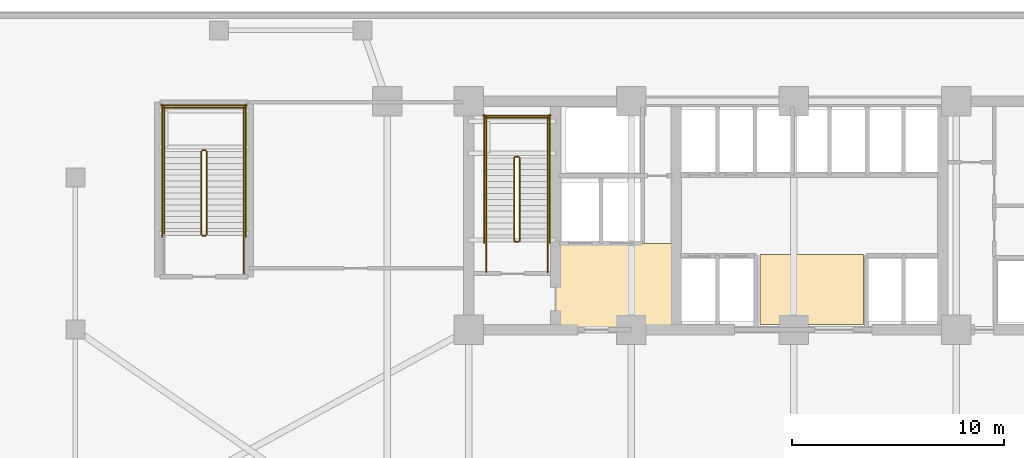
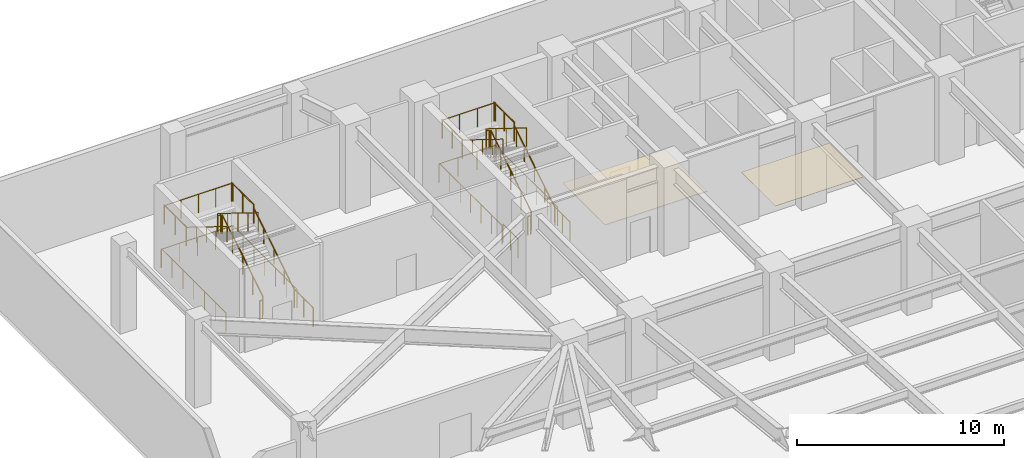
# One storey, part 16 of 19: 27 railings, 2 coverings.
"""IFC4 building model written with IfcOpenShell, lengths in metres."""

from ifc_helpers import new_model, si_unit, direction, frame, origin, origin_2d, place, context, subcontext, project, spatial, polyline, circle, outline, extrude, material, layer, layer_set, type_object, element, save


model = new_model("IFC4")

# Units and contexts
model_context = context("Model", 3, precision=1e-05, world=origin(), true_north=direction((0.0, 1.0)))
body_context = subcontext(model_context, "Body", "Model", "MODEL_VIEW")
ifc_project = project(units=[si_unit("LENGTHUNIT", "METRE"), si_unit("AREAUNIT", "SQUARE_METRE"), si_unit("VOLUMEUNIT", "CUBIC_METRE"), si_unit("PLANEANGLEUNIT", "RADIAN"), si_unit("MASSUNIT", "GRAM", prefix="KILO")], contexts=[model_context])

# Site, building, storey
site_placement = place(None, origin())
site = spatial("IfcSite", under=ifc_project, at=site_placement, CompositionType="ELEMENT")
building_placement = place(site_placement, origin())
building = spatial("IfcBuilding", under=site, at=building_placement, Name="Yelkora Congress Tower", CompositionType="ELEMENT")
storey_placement = place(building_placement, frame((0.0, 0.0, 5.199951171875)))
storey = spatial("IfcBuildingStorey", under=building, at=storey_placement, Name="L01", CompositionType="ELEMENT", Elevation=5.199951171875)

# Coverings
ifc_material_1 = material(Name="Perforated mineral-fibre acoustic ceiling", Category="gypsum")
ifc_layer_1 = layer(ifc_material_1, 0.0400390625)
ifc_layer_set_1 = layer_set([ifc_layer_1], Name="Perforated mineral-fibre acoustic ceiling")
covering_type_1 = type_object("IfcCoveringType", Name="COV-CEIL-ACOUSTIC-40", PredefinedType="CEILING", material=ifc_layer_set_1)
covering_1_placement = place(storey_placement, frame((0.0, 0.0, 2.400146484375)))
element("IfcCovering", 1, at=covering_1_placement, inside=storey, type_object=covering_type_1, Name="L01 Firefighting Lobby Acoustic Ceiling", PredefinedType="CEILING", context=body_context, shape_type="SweptSolid", body=[
    extrude(outline(polyline([(27.14990234375, 35.39990234375), (32.85009765625, 35.39990234375), (32.85009765625, 39.47998046875), (27.14990234375, 39.47998046875), (27.14990234375, 35.39990234375)])), origin(), (0.0, 0.0, 1.0), 0.039794921875),
])
ifc_material_2 = material(Name="Polished Anatolian grey granite tile", Category="masonry")
ifc_layer_2 = layer(ifc_material_2, 0.02001953125)
ifc_layer_set_2 = layer_set([ifc_layer_2], Name="Polished Anatolian grey granite tile")
covering_type_2 = type_object("IfcCoveringType", Name="COV-FLOOR-GRANITE-20", PredefinedType="FLOORING", material=ifc_layer_set_2)
covering_2_placement = place(storey_placement, origin())
element("IfcCovering", 2, at=covering_2_placement, inside=storey, type_object=covering_type_2, Name="L01 Lift Lobby Granite Flooring", PredefinedType="FLOORING", context=body_context, shape_type="SweptSolid", body=[
    extrude(outline(polyline([(36.800048828125, 35.64990234375), (41.699951171875, 35.64990234375), (41.699951171875, 38.949951171875), (36.800048828125, 38.949951171875), (36.800048828125, 35.64990234375)])), origin(), (0.0, 0.0, 1.0), 0.02001953125),
])

# Railings
ifc_material_3 = material(Name="Painted galvanised steel stair well guard with vertical infill", Category="steel")
ifc_layer_3 = layer(ifc_material_3, 0.06005859375)
ifc_layer_set_3 = layer_set([ifc_layer_3], Name="Painted galvanised steel stair well guard with vertical infill")
railing_type_1 = type_object("IfcRailingType", Name="RAIL-STAIR-GUARD-1120", PredefinedType="GUARDRAIL", material=ifc_layer_set_3)
railing_1_placement = place(storey_placement, frame((25.449951171875, 39.60009765625, 0.17333984375)))
element("IfcRailing", 3, at=railing_1_placement, inside=storey, type_object=railing_type_1, Name="ST-01 L01 Stair Well Guardrail 1", PredefinedType="GUARDRAIL", context=body_context, shape_type="SweptSolid", body=[
    extrude(circle(Radius=0.02392578125, at=origin_2d()), frame((0.0, 0.0, 1.09619140625), z_axis=(0.0, 0.850251603719, 0.526376491091), x_axis=(-1.0, 0.0, 0.0)), (0.0, 0.0, 1.0), 4.6103515625),
    extrude(circle(Radius=0.02099609375, at=origin_2d()), origin(), (0.0, 0.0, 1.0), 1.072021484375),
    extrude(circle(Radius=0.02099609375, at=origin_2d()), frame((0.0, 0.97998046875, 0.606689453125)), (0.0, 0.0, 1.0), 1.072021484375),
    extrude(circle(Radius=0.02099609375, at=origin_2d()), frame((0.0, 1.9599609375, 1.21337890625)), (0.0, 0.0, 1.0), 1.072021484375),
    extrude(circle(Radius=0.02099609375, at=origin_2d()), frame((0.0, 2.93994140625, 1.820068359375)), (0.0, 0.0, 1.0), 1.072021484375),
    extrude(circle(Radius=0.02099609375, at=origin_2d()), frame((0.0, 3.919921875, 2.4267578125)), (0.0, 0.0, 1.0), 1.072021484375),
])
railing_2_placement = place(storey_placement, frame((25.39990234375, 43.570068359375, 2.60009765625)))
element("IfcRailing", 4, at=railing_2_placement, inside=storey, type_object=railing_type_1, Name="ST-01 L01 Stair Well Guardrail 2", PredefinedType="GUARDRAIL", context=body_context, shape_type="SweptSolid", body=[
    extrude(circle(Radius=0.02392578125, at=origin_2d()), frame((0.0, 0.0, 1.09619140625), z_axis=(-1.0, 0.0, 0.0), x_axis=(0.0, -1.0, 0.0)), (0.0, 0.0, 1.0), 0.159912109375),
    extrude(circle(Radius=0.02099609375, at=origin_2d()), origin(), (0.0, 0.0, 1.0), 1.072021484375),
    extrude(circle(Radius=0.02099609375, at=origin_2d()), frame((-0.159912109375, 0.0, 0.0)), (0.0, 0.0, 1.0), 1.072021484375),
])
for number, where, name in (
    (5, (26.77001953125, 43.52001953125, 2.60009765625), "ST-01 L01 Stair Well Guardrail 3"),
    (6, (23.8701171875, 43.52001953125, 2.60009765625), "ST-01 L01 Stair Well Guardrail 4"),
):
    element("IfcRailing", number, at=place(storey_placement, frame(where)), inside=storey, type_object=railing_type_1, Name=name, PredefinedType="GUARDRAIL", context=body_context, shape_type="SweptSolid", body=[
        extrude(circle(Radius=0.02392578125, at=origin_2d()), frame((0.0, 0.0, 1.09619140625), z_axis=(0.0, 1.0, 0.0), x_axis=(-1.0, 0.0, 0.0)), (0.0, 0.0, 1.0), 1.949951171875),
        extrude(circle(Radius=0.02099609375, at=origin_2d()), origin(), (0.0, 0.0, 1.0), 1.072021484375),
        extrude(circle(Radius=0.02099609375, at=origin_2d()), frame((0.0, 0.97509765625, 0.0)), (0.0, 0.0, 1.0), 1.072021484375),
        extrude(circle(Radius=0.02099609375, at=origin_2d()), frame((0.0, 1.949951171875, 0.0)), (0.0, 0.0, 1.0), 1.072021484375),
    ])
railing_3_placement = place(storey_placement, frame((26.820068359375, 45.419921875, 2.60009765625)))
element("IfcRailing", 7, at=railing_3_placement, inside=storey, type_object=railing_type_1, Name="ST-01 L01 Stair Well Guardrail 5", PredefinedType="GUARDRAIL", context=body_context, shape_type="SweptSolid", body=[
    extrude(circle(Radius=0.02392578125, at=origin_2d()), frame((0.0, 0.0, 1.09619140625), z_axis=(-1.0, 0.0, 0.0), x_axis=(0.0, -1.0, 0.0)), (0.0, 0.0, 1.0), 3.0),
    extrude(circle(Radius=0.02099609375, at=origin_2d()), origin(), (0.0, 0.0, 1.0), 1.072021484375),
    extrude(circle(Radius=0.02099609375, at=origin_2d()), frame((-1.0, 0.0, 0.0)), (0.0, 0.0, 1.0), 1.072021484375),
    extrude(circle(Radius=0.02099609375, at=origin_2d()), frame((-2.0, 0.0, 0.0)), (0.0, 0.0, 1.0), 1.072021484375),
    extrude(circle(Radius=0.02099609375, at=origin_2d()), frame((-3.0, 0.0, 0.0)), (0.0, 0.0, 1.0), 1.072021484375),
])
railing_4_placement = place(storey_placement, frame((25.18994140625, 43.52001953125, 2.7734375)))
element("IfcRailing", 8, at=railing_4_placement, inside=storey, type_object=railing_type_1, Name="ST-01 L01 Stair Well Guardrail 6", PredefinedType="GUARDRAIL", context=body_context, shape_type="SweptSolid", body=[
    extrude(circle(Radius=0.02392578125, at=origin_2d()), frame((0.0, 0.0, 1.09619140625), z_axis=(0.0, -0.850275303828, 0.526338206574), x_axis=(1.0, 0.0, 0.0)), (0.0, 0.0, 1.0), 4.610107421875),
    extrude(circle(Radius=0.02099609375, at=origin_2d()), origin(), (0.0, 0.0, 1.0), 1.072021484375),
    extrude(circle(Radius=0.02099609375, at=origin_2d()), frame((0.0, -0.97998046875, 0.606689453125)), (0.0, 0.0, 1.0), 1.072021484375),
    extrude(circle(Radius=0.02099609375, at=origin_2d()), frame((0.0, -1.9599609375, 1.21337890625)), (0.0, 0.0, 1.0), 1.072021484375),
    extrude(circle(Radius=0.02099609375, at=origin_2d()), frame((0.0, -2.93994140625, 1.81982421875)), (0.0, 0.0, 1.0), 1.072021484375),
    extrude(circle(Radius=0.02099609375, at=origin_2d()), frame((0.0, -3.919921875, 2.426513671875)), (0.0, 0.0, 1.0), 1.072021484375),
])
railing_5_placement = place(storey_placement, frame((25.39990234375, 39.550048828125, 0.0)))
element("IfcRailing", 9, at=railing_5_placement, inside=storey, type_object=railing_type_1, Name="ST-01 L01 Stair Well Guardrail 7", PredefinedType="GUARDRAIL", context=body_context, shape_type="SweptSolid", body=[
    extrude(circle(Radius=0.02392578125, at=origin_2d()), frame((0.0, 0.0, 1.09619140625), z_axis=(-1.0, 0.0, 0.0), x_axis=(0.0, -1.0, 0.0)), (0.0, 0.0, 1.0), 0.159912109375),
    extrude(circle(Radius=0.02099609375, at=origin_2d()), origin(), (0.0, 0.0, 1.0), 1.072021484375),
    extrude(circle(Radius=0.02099609375, at=origin_2d()), frame((-0.159912109375, 0.0, 0.0)), (0.0, 0.0, 1.0), 1.072021484375),
])
for number, where, name in (
    (10, (26.77001953125, 38.1201171875, 0.0), "ST-01 L01 Stair Well Guardrail 8"),
    (11, (23.8701171875, 38.1201171875, 0.0), "ST-01 L01 Stair Well Guardrail 9"),
):
    element("IfcRailing", number, at=place(storey_placement, frame(where)), inside=storey, type_object=railing_type_1, Name=name, PredefinedType="GUARDRAIL", context=body_context, shape_type="SweptSolid", body=[
        extrude(circle(Radius=0.02392578125, at=origin_2d()), frame((0.0, 0.0, 1.09619140625), z_axis=(0.0, 1.0, 0.0), x_axis=(-1.0, 0.0, 0.0)), (0.0, 0.0, 1.0), 1.47998046875),
        extrude(circle(Radius=0.02099609375, at=origin_2d()), origin(), (0.0, 0.0, 1.0), 1.072021484375),
        extrude(circle(Radius=0.02099609375, at=origin_2d()), frame((0.0, 0.739990234375, 0.0)), (0.0, 0.0, 1.0), 1.072021484375),
        extrude(circle(Radius=0.02099609375, at=origin_2d()), frame((0.0, 1.47998046875, 0.0)), (0.0, 0.0, 1.0), 1.072021484375),
    ])
for number, where, name in (
    (12, (26.8701171875, 39.5, 0.0), "ST-01 L01 Stair Well Guardrail 10"),
    (13, (23.77001953125, 39.5, 0.0), "ST-01 L01 Stair Well Guardrail 11"),
):
    element("IfcRailing", number, at=place(storey_placement, frame(where)), inside=storey, type_object=railing_type_1, Name=name, PredefinedType="GUARDRAIL", context=body_context, shape_type="SweptSolid", body=[
        extrude(circle(Radius=0.02392578125, at=origin_2d()), frame((0.0, 0.0, 1.09619140625), z_axis=(0.0, 1.0, 0.0), x_axis=(-1.0, 0.0, 0.0)), (0.0, 0.0, 1.0), 6.070068359375),
        extrude(circle(Radius=0.02099609375, at=origin_2d()), origin(), (0.0, 0.0, 1.0), 1.072021484375),
        extrude(circle(Radius=0.02099609375, at=origin_2d()), frame((0.0, 1.01171875, 0.0)), (0.0, 0.0, 1.0), 1.072021484375),
        extrude(circle(Radius=0.02099609375, at=origin_2d()), frame((0.0, 2.0234375, 0.0)), (0.0, 0.0, 1.0), 1.072021484375),
        extrude(circle(Radius=0.02099609375, at=origin_2d()), frame((0.0, 3.03515625, 0.0)), (0.0, 0.0, 1.0), 1.072021484375),
        extrude(circle(Radius=0.02099609375, at=origin_2d()), frame((0.0, 4.046630859375, 0.0)), (0.0, 0.0, 1.0), 1.072021484375),
        extrude(circle(Radius=0.02099609375, at=origin_2d()), frame((0.0, 5.058349609375, 0.0)), (0.0, 0.0, 1.0), 1.072021484375),
        extrude(circle(Radius=0.02099609375, at=origin_2d()), frame((0.0, 6.070068359375, 0.0)), (0.0, 0.0, 1.0), 1.072021484375),
    ])
railing_6_placement = place(storey_placement, frame((26.919921875, 45.52001953125, 0.0)))
element("IfcRailing", 14, at=railing_6_placement, inside=storey, type_object=railing_type_1, Name="ST-01 L01 Stair Well Guardrail 12", PredefinedType="GUARDRAIL", context=body_context, shape_type="SweptSolid", body=[
    extrude(circle(Radius=0.02392578125, at=origin_2d()), frame((0.0, 0.0, 1.09619140625), z_axis=(-1.0, 0.0, 0.0), x_axis=(0.0, -1.0, 0.0)), (0.0, 0.0, 1.0), 3.199951171875),
    extrude(circle(Radius=0.02099609375, at=origin_2d()), origin(), (0.0, 0.0, 1.0), 1.072021484375),
    extrude(circle(Radius=0.02099609375, at=origin_2d()), frame((-1.066650390625, 0.0, 0.0)), (0.0, 0.0, 1.0), 1.072021484375),
    extrude(circle(Radius=0.02099609375, at=origin_2d()), frame((-2.13330078125, 0.0, 0.0)), (0.0, 0.0, 1.0), 1.072021484375),
    extrude(circle(Radius=0.02099609375, at=origin_2d()), frame((-3.199951171875, 0.0, 0.0)), (0.0, 0.0, 1.0), 1.072021484375),
])
railing_7_placement = place(storey_placement, frame((10.659912109375, 39.89990234375, 0.17333984375)))
element("IfcRailing", 15, at=railing_7_placement, inside=storey, type_object=railing_type_1, Name="ST-P1 L01 Stair Well Guardrail 1", PredefinedType="GUARDRAIL", context=body_context, shape_type="SweptSolid", body=[
    extrude(circle(Radius=0.02392578125, at=origin_2d()), frame((0.0, 0.0, 1.09619140625), z_axis=(0.0, 0.850266275192, 0.526352791643), x_axis=(-1.0, 0.0, 0.0)), (0.0, 0.0, 1.0), 4.610595703125),
    extrude(circle(Radius=0.02099609375, at=origin_2d()), origin(), (0.0, 0.0, 1.0), 1.072021484375),
    extrude(circle(Radius=0.02099609375, at=origin_2d()), frame((0.0, 0.97998046875, 0.606689453125)), (0.0, 0.0, 1.0), 1.072021484375),
    extrude(circle(Radius=0.02099609375, at=origin_2d()), frame((0.0, 1.9599609375, 1.21337890625)), (0.0, 0.0, 1.0), 1.072021484375),
    extrude(circle(Radius=0.02099609375, at=origin_2d()), frame((0.0, 2.940185546875, 1.820068359375)), (0.0, 0.0, 1.0), 1.072021484375),
    extrude(circle(Radius=0.02099609375, at=origin_2d()), frame((0.0, 3.920166015625, 2.4267578125)), (0.0, 0.0, 1.0), 1.072021484375),
])
railing_8_placement = place(storey_placement, frame((10.610107421875, 43.8701171875, 2.60009765625)))
element("IfcRailing", 16, at=railing_8_placement, inside=storey, type_object=railing_type_1, Name="ST-P1 L01 Stair Well Guardrail 2", PredefinedType="GUARDRAIL", context=body_context, shape_type="SweptSolid", body=[
    extrude(circle(Radius=0.02392578125, at=origin_2d()), frame((0.0, 0.0, 1.09619140625), z_axis=(-1.0, 0.0, 0.0), x_axis=(0.0, -1.0, 0.0)), (0.0, 0.0, 1.0), 0.16015625),
    extrude(circle(Radius=0.02099609375, at=origin_2d()), origin(), (0.0, 0.0, 1.0), 1.072021484375),
    extrude(circle(Radius=0.02099609375, at=origin_2d()), frame((-0.16015625, 0.0, 0.0)), (0.0, 0.0, 1.0), 1.072021484375),
])
for number, where, name in (
    (17, (12.409912109375, 43.820068359375, 2.60009765625), "ST-P1 L01 Stair Well Guardrail 3"),
    (18, (8.64990234375, 43.820068359375, 2.60009765625), "ST-P1 L01 Stair Well Guardrail 4"),
):
    element("IfcRailing", number, at=place(storey_placement, frame(where)), inside=storey, type_object=railing_type_1, Name=name, PredefinedType="GUARDRAIL", context=body_context, shape_type="SweptSolid", body=[
        extrude(circle(Radius=0.02392578125, at=origin_2d()), frame((0.0, 0.0, 1.09619140625), z_axis=(0.0, 1.0, 0.0), x_axis=(-1.0, 0.0, 0.0)), (0.0, 0.0, 1.0), 2.1298828125),
        extrude(circle(Radius=0.02099609375, at=origin_2d()), origin(), (0.0, 0.0, 1.0), 1.072021484375),
        extrude(circle(Radius=0.02099609375, at=origin_2d()), frame((0.0, 1.06494140625, 0.0)), (0.0, 0.0, 1.0), 1.072021484375),
        extrude(circle(Radius=0.02099609375, at=origin_2d()), frame((0.0, 2.1298828125, 0.0)), (0.0, 0.0, 1.0), 1.072021484375),
    ])
railing_9_placement = place(storey_placement, frame((12.4599609375, 45.89990234375, 2.60009765625)))
element("IfcRailing", 19, at=railing_9_placement, inside=storey, type_object=railing_type_1, Name="ST-P1 L01 Stair Well Guardrail 5", PredefinedType="GUARDRAIL", context=body_context, shape_type="SweptSolid", body=[
    extrude(circle(Radius=0.02392578125, at=origin_2d()), frame((0.0, 0.0, 1.09619140625), z_axis=(-1.0, 0.0, 0.0), x_axis=(0.0, -1.0, 0.0)), (0.0, 0.0, 1.0), 3.85986328125),
    extrude(circle(Radius=0.02099609375, at=origin_2d()), origin(), (0.0, 0.0, 1.0), 1.072021484375),
    extrude(circle(Radius=0.02099609375, at=origin_2d()), frame((-0.96484375, 0.0, 0.0)), (0.0, 0.0, 1.0), 1.072021484375),
    extrude(circle(Radius=0.02099609375, at=origin_2d()), frame((-1.929931640625, 0.0, 0.0)), (0.0, 0.0, 1.0), 1.072021484375),
    extrude(circle(Radius=0.02099609375, at=origin_2d()), frame((-2.89501953125, 0.0, 0.0)), (0.0, 0.0, 1.0), 1.072021484375),
    extrude(circle(Radius=0.02099609375, at=origin_2d()), frame((-3.85986328125, 0.0, 0.0)), (0.0, 0.0, 1.0), 1.072021484375),
])
railing_10_placement = place(storey_placement, frame((10.39990234375, 43.820068359375, 2.7734375)))
element("IfcRailing", 20, at=railing_10_placement, inside=storey, type_object=railing_type_1, Name="ST-P1 L01 Stair Well Guardrail 6", PredefinedType="GUARDRAIL", context=body_context, shape_type="SweptSolid", body=[
    extrude(circle(Radius=0.02392578125, at=origin_2d()), frame((0.0, 0.0, 1.09619140625), z_axis=(0.0, -0.850289973577, 0.526314507528), x_axis=(1.0, 0.0, 0.0)), (0.0, 0.0, 1.0), 4.6103515625),
    extrude(circle(Radius=0.02099609375, at=origin_2d()), origin(), (0.0, 0.0, 1.0), 1.072021484375),
    extrude(circle(Radius=0.02099609375, at=origin_2d()), frame((0.0, -0.97998046875, 0.606689453125)), (0.0, 0.0, 1.0), 1.072021484375),
    extrude(circle(Radius=0.02099609375, at=origin_2d()), frame((0.0, -1.9599609375, 1.21337890625)), (0.0, 0.0, 1.0), 1.072021484375),
    extrude(circle(Radius=0.02099609375, at=origin_2d()), frame((0.0, -2.940185546875, 1.81982421875)), (0.0, 0.0, 1.0), 1.072021484375),
    extrude(circle(Radius=0.02099609375, at=origin_2d()), frame((0.0, -3.920166015625, 2.426513671875)), (0.0, 0.0, 1.0), 1.072021484375),
])
railing_11_placement = place(storey_placement, frame((10.610107421875, 39.85009765625, 0.0)))
element("IfcRailing", 21, at=railing_11_placement, inside=storey, type_object=railing_type_1, Name="ST-P1 L01 Stair Well Guardrail 7", PredefinedType="GUARDRAIL", context=body_context, shape_type="SweptSolid", body=[
    extrude(circle(Radius=0.02392578125, at=origin_2d()), frame((0.0, 0.0, 1.09619140625), z_axis=(-1.0, 0.0, 0.0), x_axis=(0.0, -1.0, 0.0)), (0.0, 0.0, 1.0), 0.16015625),
    extrude(circle(Radius=0.02099609375, at=origin_2d()), origin(), (0.0, 0.0, 1.0), 1.072021484375),
    extrude(circle(Radius=0.02099609375, at=origin_2d()), frame((-0.16015625, 0.0, 0.0)), (0.0, 0.0, 1.0), 1.072021484375),
])
railing_12_placement = place(storey_placement, frame((12.409912109375, 38.050048828125, 0.0)))
element("IfcRailing", 22, at=railing_12_placement, inside=storey, type_object=railing_type_1, Name="ST-P1 L01 Stair Well Guardrail 8", PredefinedType="GUARDRAIL", context=body_context, shape_type="SweptSolid", body=[
    extrude(circle(Radius=0.02392578125, at=origin_2d()), frame((0.0, 0.0, 1.09619140625), z_axis=(0.0, 1.0, 0.0), x_axis=(-1.0, 0.0, 0.0)), (0.0, 0.0, 1.0), 1.849853515625),
    extrude(circle(Radius=0.02099609375, at=origin_2d()), origin(), (0.0, 0.0, 1.0), 1.072021484375),
    extrude(circle(Radius=0.02099609375, at=origin_2d()), frame((0.0, 0.9248046875, 0.0)), (0.0, 0.0, 1.0), 1.072021484375),
    extrude(circle(Radius=0.02099609375, at=origin_2d()), frame((0.0, 1.849853515625, 0.0)), (0.0, 0.0, 1.0), 1.072021484375),
])
for number, where, name in (
    (23, (12.510009765625, 39.800048828125, 0.0), "ST-P1 L01 Stair Well Guardrail 10"),
    (24, (8.550048828125, 39.800048828125, 0.0), "ST-P1 L01 Stair Well Guardrail 11"),
):
    element("IfcRailing", number, at=place(storey_placement, frame(where)), inside=storey, type_object=railing_type_1, Name=name, PredefinedType="GUARDRAIL", context=body_context, shape_type="SweptSolid", body=[
        extrude(circle(Radius=0.02392578125, at=origin_2d()), frame((0.0, 0.0, 1.09619140625), z_axis=(0.0, 1.0, 0.0), x_axis=(-1.0, 0.0, 0.0)), (0.0, 0.0, 1.0), 6.25),
        extrude(circle(Radius=0.02099609375, at=origin_2d()), origin(), (0.0, 0.0, 1.0), 1.072021484375),
        extrude(circle(Radius=0.02099609375, at=origin_2d()), frame((0.0, 1.041748046875, 0.0)), (0.0, 0.0, 1.0), 1.072021484375),
        extrude(circle(Radius=0.02099609375, at=origin_2d()), frame((0.0, 2.083251953125, 0.0)), (0.0, 0.0, 1.0), 1.072021484375),
        extrude(circle(Radius=0.02099609375, at=origin_2d()), frame((0.0, 3.125, 0.0)), (0.0, 0.0, 1.0), 1.072021484375),
        extrude(circle(Radius=0.02099609375, at=origin_2d()), frame((0.0, 4.166748046875, 0.0)), (0.0, 0.0, 1.0), 1.072021484375),
        extrude(circle(Radius=0.02099609375, at=origin_2d()), frame((0.0, 5.208251953125, 0.0)), (0.0, 0.0, 1.0), 1.072021484375),
        extrude(circle(Radius=0.02099609375, at=origin_2d()), frame((0.0, 6.25, 0.0)), (0.0, 0.0, 1.0), 1.072021484375),
    ])
railing_13_placement = place(storey_placement, frame((12.56005859375, 46.0, 0.0)))
element("IfcRailing", 25, at=railing_13_placement, inside=storey, type_object=railing_type_1, Name="ST-P1 L01 Stair Well Guardrail 12", PredefinedType="GUARDRAIL", context=body_context, shape_type="SweptSolid", body=[
    extrude(circle(Radius=0.02392578125, at=origin_2d()), frame((0.0, 0.0, 1.09619140625), z_axis=(-1.0, 0.0, 0.0), x_axis=(0.0, -1.0, 0.0)), (0.0, 0.0, 1.0), 4.06005859375),
    extrude(circle(Radius=0.02099609375, at=origin_2d()), origin(), (0.0, 0.0, 1.0), 1.072021484375),
    extrude(circle(Radius=0.02099609375, at=origin_2d()), frame((-1.01513671875, 0.0, 0.0)), (0.0, 0.0, 1.0), 1.072021484375),
    extrude(circle(Radius=0.02099609375, at=origin_2d()), frame((-2.030029296875, 0.0, 0.0)), (0.0, 0.0, 1.0), 1.072021484375),
    extrude(circle(Radius=0.02099609375, at=origin_2d()), frame((-3.044921875, 0.0, 0.0)), (0.0, 0.0, 1.0), 1.072021484375),
    extrude(circle(Radius=0.02099609375, at=origin_2d()), frame((-4.06005859375, 0.0, 0.0)), (0.0, 0.0, 1.0), 1.072021484375),
])
ifc_material_4 = material(Name="Brushed stainless steel tubular handrail", Category="steel")
ifc_layer_4 = layer(ifc_material_4, 0.050048828125)
ifc_layer_set_4 = layer_set([ifc_layer_4], Name="Brushed stainless steel tubular handrail")
railing_type_2 = type_object("IfcRailingType", Name="RAIL-STAIR-HAND-920", PredefinedType="HANDRAIL", material=ifc_layer_set_4)
railing_14_placement = place(storey_placement, frame((26.77001953125, 39.60009765625, 0.17333984375)))
element("IfcRailing", 26, at=railing_14_placement, inside=storey, type_object=railing_type_2, Name="ST-01 L01 Pitch Handrail 1", PredefinedType="HANDRAIL", context=body_context, shape_type="SweptSolid", body=[
    extrude(circle(Radius=0.02392578125, at=origin_2d()), frame((0.0, 0.0, 0.89599609375), z_axis=(0.0, 0.850251603719, 0.526376491091), x_axis=(-1.0, 0.0, 0.0)), (0.0, 0.0, 1.0), 4.6103515625),
    extrude(circle(Radius=0.02099609375, at=origin_2d()), origin(), (0.0, 0.0, 1.0), 0.871826171875),
    extrude(circle(Radius=0.02099609375, at=origin_2d()), frame((0.0, 0.97998046875, 0.606689453125)), (0.0, 0.0, 1.0), 0.871826171875),
    extrude(circle(Radius=0.02099609375, at=origin_2d()), frame((0.0, 1.9599609375, 1.21337890625)), (0.0, 0.0, 1.0), 0.871826171875),
    extrude(circle(Radius=0.02099609375, at=origin_2d()), frame((0.0, 2.93994140625, 1.820068359375)), (0.0, 0.0, 1.0), 0.871826171875),
    extrude(circle(Radius=0.02099609375, at=origin_2d()), frame((0.0, 3.919921875, 2.4267578125)), (0.0, 0.0, 1.0), 0.871826171875),
])
railing_15_placement = place(storey_placement, frame((23.8701171875, 43.52001953125, 2.7734375)))
element("IfcRailing", 27, at=railing_15_placement, inside=storey, type_object=railing_type_2, Name="ST-01 L01 Pitch Handrail 2", PredefinedType="HANDRAIL", context=body_context, shape_type="SweptSolid", body=[
    extrude(circle(Radius=0.02392578125, at=origin_2d()), frame((0.0, 0.0, 0.89599609375), z_axis=(0.0, -0.850275303828, 0.526338206574), x_axis=(1.0, 0.0, 0.0)), (0.0, 0.0, 1.0), 4.610107421875),
    extrude(circle(Radius=0.02099609375, at=origin_2d()), origin(), (0.0, 0.0, 1.0), 0.871826171875),
    extrude(circle(Radius=0.02099609375, at=origin_2d()), frame((0.0, -0.97998046875, 0.606689453125)), (0.0, 0.0, 1.0), 0.871826171875),
    extrude(circle(Radius=0.02099609375, at=origin_2d()), frame((0.0, -1.9599609375, 1.21337890625)), (0.0, 0.0, 1.0), 0.871826171875),
    extrude(circle(Radius=0.02099609375, at=origin_2d()), frame((0.0, -2.93994140625, 1.81982421875)), (0.0, 0.0, 1.0), 0.871826171875),
    extrude(circle(Radius=0.02099609375, at=origin_2d()), frame((0.0, -3.919921875, 2.426513671875)), (0.0, 0.0, 1.0), 0.871826171875),
])
railing_16_placement = place(storey_placement, frame((12.409912109375, 39.89990234375, 0.17333984375)))
element("IfcRailing", 28, at=railing_16_placement, inside=storey, type_object=railing_type_2, Name="ST-P1 L01 Pitch Handrail 1", PredefinedType="HANDRAIL", context=body_context, shape_type="SweptSolid", body=[
    extrude(circle(Radius=0.02392578125, at=origin_2d()), frame((0.0, 0.0, 0.89599609375), z_axis=(0.0, 0.850266275192, 0.526352791643), x_axis=(-1.0, 0.0, 0.0)), (0.0, 0.0, 1.0), 4.610595703125),
    extrude(circle(Radius=0.02099609375, at=origin_2d()), origin(), (0.0, 0.0, 1.0), 0.871826171875),
    extrude(circle(Radius=0.02099609375, at=origin_2d()), frame((0.0, 0.97998046875, 0.606689453125)), (0.0, 0.0, 1.0), 0.871826171875),
    extrude(circle(Radius=0.02099609375, at=origin_2d()), frame((0.0, 1.9599609375, 1.21337890625)), (0.0, 0.0, 1.0), 0.871826171875),
    extrude(circle(Radius=0.02099609375, at=origin_2d()), frame((0.0, 2.940185546875, 1.820068359375)), (0.0, 0.0, 1.0), 0.871826171875),
    extrude(circle(Radius=0.02099609375, at=origin_2d()), frame((0.0, 3.920166015625, 2.4267578125)), (0.0, 0.0, 1.0), 0.871826171875),
])
railing_17_placement = place(storey_placement, frame((8.64990234375, 43.820068359375, 2.7734375)))
element("IfcRailing", 29, at=railing_17_placement, inside=storey, type_object=railing_type_2, Name="ST-P1 L01 Pitch Handrail 2", PredefinedType="HANDRAIL", context=body_context, shape_type="SweptSolid", body=[
    extrude(circle(Radius=0.02392578125, at=origin_2d()), frame((0.0, 0.0, 0.89599609375), z_axis=(0.0, -0.850289973577, 0.526314507528), x_axis=(1.0, 0.0, 0.0)), (0.0, 0.0, 1.0), 4.6103515625),
    extrude(circle(Radius=0.02099609375, at=origin_2d()), origin(), (0.0, 0.0, 1.0), 0.871826171875),
    extrude(circle(Radius=0.02099609375, at=origin_2d()), frame((0.0, -0.97998046875, 0.606689453125)), (0.0, 0.0, 1.0), 0.871826171875),
    extrude(circle(Radius=0.02099609375, at=origin_2d()), frame((0.0, -1.9599609375, 1.21337890625)), (0.0, 0.0, 1.0), 0.871826171875),
    extrude(circle(Radius=0.02099609375, at=origin_2d()), frame((0.0, -2.940185546875, 1.81982421875)), (0.0, 0.0, 1.0), 0.871826171875),
    extrude(circle(Radius=0.02099609375, at=origin_2d()), frame((0.0, -3.920166015625, 2.426513671875)), (0.0, 0.0, 1.0), 0.871826171875),
])

save(model, "model.ifc")
